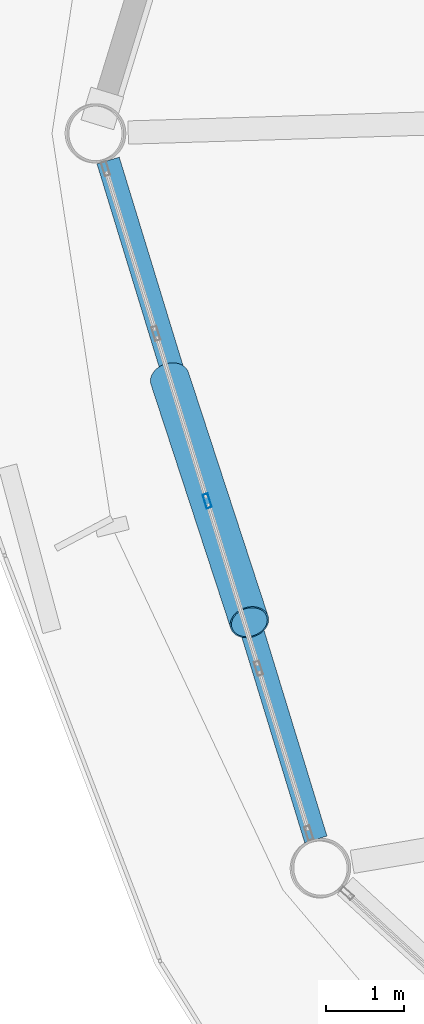
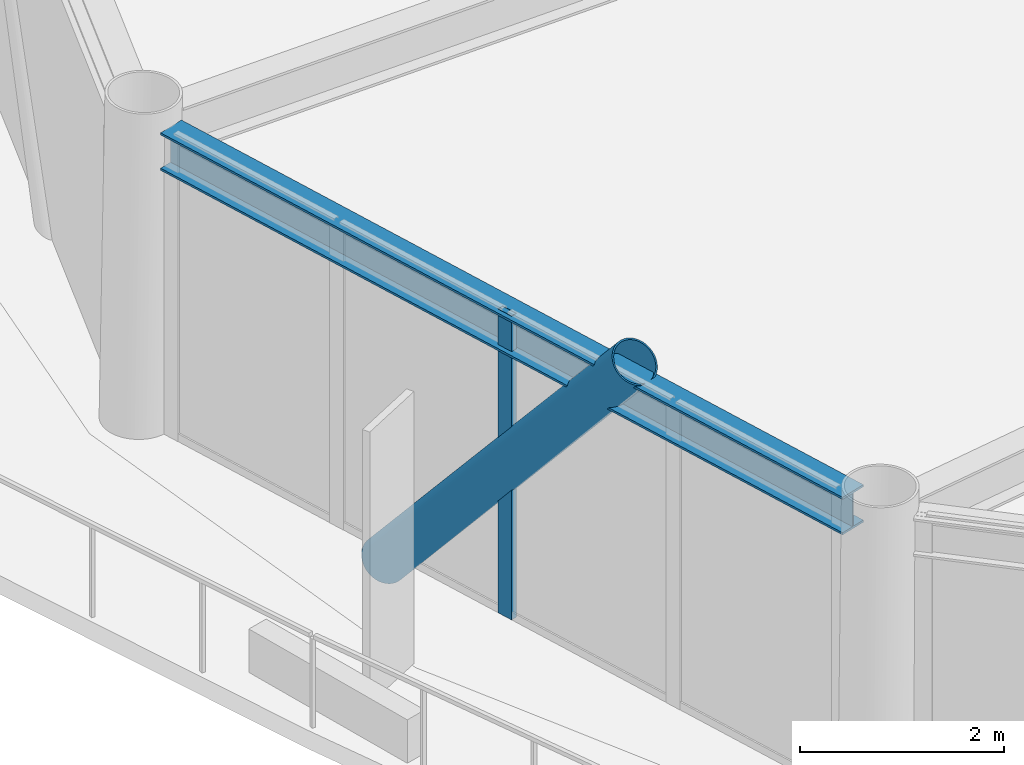
# One storey, part 3 of 23: 2 members, 1 beam, 1 element without a shape of its own.
"""IFC4 building model written with IfcOpenShell, lengths in metres."""

from ifc_helpers import new_model, si_unit, direction, frame, origin, origin_2d, place, context, subcontext, project, spatial, hollow_rectangle, hollow_circle, i_section, extrude, material, layer, layer_set, material_profile, profile_set, type_object, element, aggregate, save


model = new_model("IFC4")

# Units and contexts
model_context = context("Model", 3, precision=1e-05, world=origin(), true_north=direction((0.0, 1.0)))
body_context = subcontext(model_context, "Body", "Model", "MODEL_VIEW")
ifc_project = project(units=[si_unit("LENGTHUNIT", "METRE"), si_unit("AREAUNIT", "SQUARE_METRE"), si_unit("VOLUMEUNIT", "CUBIC_METRE"), si_unit("PLANEANGLEUNIT", "RADIAN"), si_unit("MASSUNIT", "GRAM", prefix="KILO")], contexts=[model_context])

# Site, building, storey
site_placement = place(None, origin())
site = spatial("IfcSite", under=ifc_project, at=site_placement, CompositionType="ELEMENT")
building_placement = place(site_placement, origin())
building = spatial("IfcBuilding", under=site, at=building_placement, Name="Varnakorn Sky Granary", CompositionType="ELEMENT")
storey_placement = place(building_placement, frame((0.0, 0.0, 150.0)))
storey = spatial("IfcBuildingStorey", under=building, at=storey_placement, Name="L37", CompositionType="ELEMENT", Elevation=150.0)

# Beam
ifc_material_1 = material(Name="Steel S355JR", Category="steel")
ifc_material_profile_1 = material_profile(ifc_material_1, i_section(OverallWidth=0.300048828125, OverallDepth=0.449951171875, WebThickness=0.013916015625, FlangeThickness=0.02587890625, at=origin_2d()), Name="HE 450 B")
ifc_profile_set_1 = profile_set([ifc_material_profile_1], Name="Steel S355JR")
beam_type = type_object("IfcBeamType", Name="BM-SPD-Z3", PredefinedType="SPANDREL", material=ifc_profile_set_1)
beam_placement = place(storey_placement, frame((-22.10986328125, -0.35009765625, 3.4150390625), z_axis=(0.292604774033, -0.956233468465, 0.0), x_axis=(0.956233468465, 0.292604774033, 0.0)))
element("IfcBeam", 1, at=beam_placement, inside=storey, type_object=beam_type, Name="Perimeter Spandrel Ring Beam RB07 L37", PredefinedType="SPANDREL", context=body_context, shape_type="SweptSolid", body=[
    extrude(i_section(OverallWidth=0.300048828125, OverallDepth=0.449951171875, WebThickness=0.013916015625, FlangeThickness=0.02587890625, at=origin_2d()), origin(), (0.0, 0.0, 1.0), 9.153076171875),
])

# Curtain wall, member
ifc_material_2 = material(Name="Anodised Bronze Aluminium Alloy 6063-T6", Category="aluminium")
ifc_layer = layer(ifc_material_2, 0.179931640625, Name="Anodised Bronze Aluminium Alloy 6063-T6")
ifc_layer_set = layer_set([ifc_layer], Name="Anodised Bronze Aluminium Alloy 6063-T6")
curtain_wall_type = type_object("IfcCurtainWallType", Name="CW-FRM-2", PredefinedType="USERDEFINED", material=ifc_layer_set)
curtain_wall_placement = place(storey_placement, origin())
curtain_wall = element("IfcCurtainWall", 2, at=curtain_wall_placement, inside=storey, type_object=curtain_wall_type, Name="Unitised Curtain Wall CW4 CW-L37-B07", ObjectType="CURTAIN WALL", PredefinedType="USERDEFINED")
ifc_material_profile_2 = material_profile(ifc_material_2, hollow_rectangle(XDim=0.070068359375, YDim=0.18505859375, WallThickness=0.00390625, at=origin_2d()), Name="ALU MULL 70x185")
ifc_profile_set_2 = profile_set([ifc_material_profile_2], Name="Anodised Bronze Aluminium Alloy 6063-T6")
member_type_1 = type_object("IfcMemberType", Name="CW-FRM-2-MULL", PredefinedType="MULLION", material=ifc_profile_set_2)
member_1_placement = place(storey_placement, frame((-20.832275390625, -4.73828125, 0.0), z_axis=(0.0, 0.0, 1.0), x_axis=(-0.95619021193, -0.292746099222, 0.0)))
member_1 = element("IfcMember", 3, at=member_1_placement, type_object=member_type_1, Name="CW4 mullion 3", PredefinedType="MULLION", context=body_context, shape_type="SweptSolid", body=[
    extrude(hollow_rectangle(XDim=0.070068359375, YDim=0.18505859375, WallThickness=0.00390625, at=origin_2d()), origin(), (0.0, 0.0, 1.0), 3.639892578125),
])
aggregate(curtain_wall, [member_1])

# Member
ifc_material_3 = material(Name="Steel S460M", Category="steel")
ifc_material_profile_3 = material_profile(ifc_material_3, hollow_circle(Radius=0.25390625, WallThickness=0.01806640625, at=origin_2d()), Name="CHS 508x18")
ifc_profile_set_3 = profile_set([ifc_material_profile_3], Name="Steel S460M")
member_type_2 = type_object("IfcMemberType", Name="MB-DIAG-T2", PredefinedType="BRACE", material=ifc_profile_set_3)
member_2_placement = place(storey_placement, frame((-21.31591796875, -3.15869140625, -0.1298828125), z_axis=(0.200280236362, -0.612885134996, 0.764368784177), x_axis=(0.950534738247, 0.310618272783, 0.0)))
element("IfcMember", 4, at=member_2_placement, inside=storey, type_object=member_type_2, Name="Perimeter CHS Diagrid Brace DG07 L37", PredefinedType="BRACE", context=body_context, shape_type="SweptSolid", body=[
    extrude(hollow_circle(Radius=0.25390625, WallThickness=0.01806640625, at=origin_2d()), origin(), (0.0, 0.0, 1.0), 5.12841796875),
])

save(model, "model.ifc")
